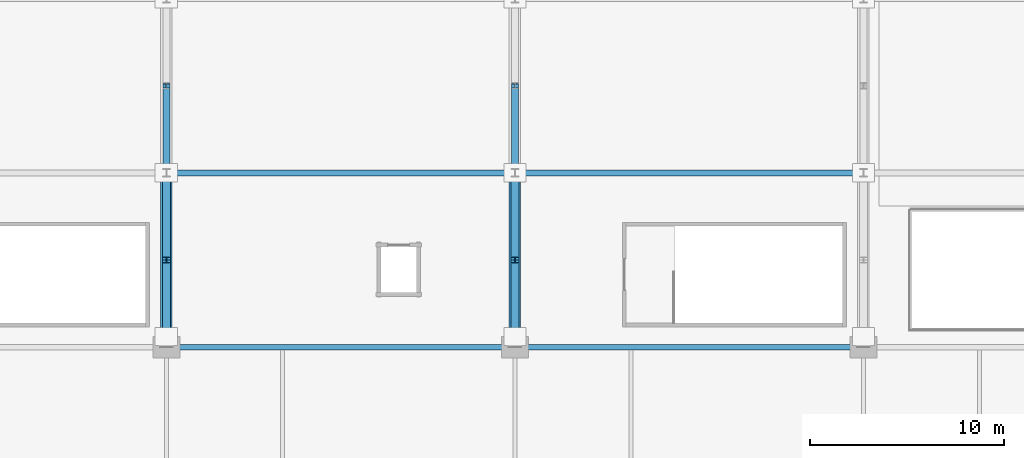
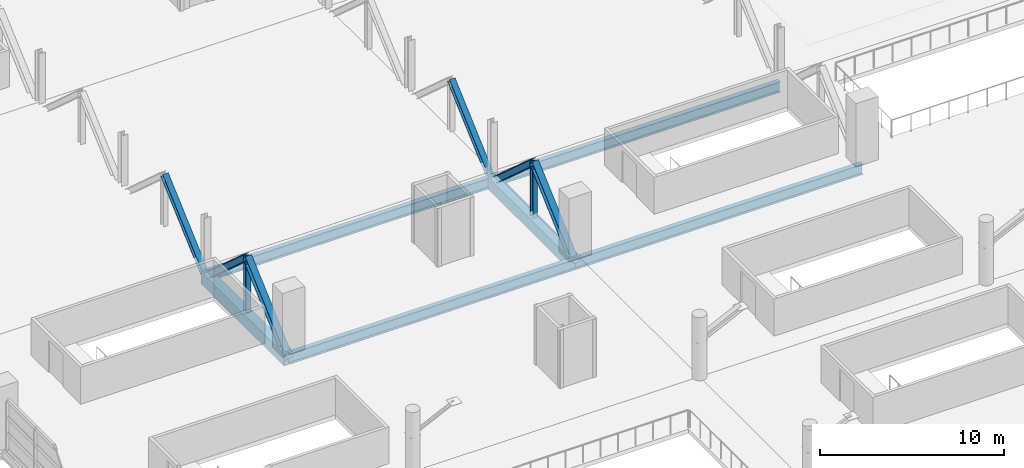
# One storey, part 28 of 136: 8 members, 6 beams.
"""IFC4 building model written with IfcOpenShell, lengths in metres."""

from ifc_helpers import new_model, si_unit, direction, frame, origin, origin_2d, place, context, subcontext, project, spatial, hollow_rectangle, i_section, extrude, material, material_profile, profile_set, type_object, element, save


model = new_model("IFC4")

# Units and contexts
model_context = context("Model", 3, precision=1e-05, world=origin(), true_north=direction((0.0, 1.0)))
body_context = subcontext(model_context, "Body", "Model", "MODEL_VIEW")
ifc_project = project(units=[si_unit("LENGTHUNIT", "METRE"), si_unit("AREAUNIT", "SQUARE_METRE"), si_unit("VOLUMEUNIT", "CUBIC_METRE"), si_unit("PLANEANGLEUNIT", "RADIAN"), si_unit("MASSUNIT", "GRAM", prefix="KILO")], contexts=[model_context])

# Site, building, storey
site_placement = place(None, origin())
site = spatial("IfcSite", under=ifc_project, at=site_placement, CompositionType="ELEMENT")
building_placement = place(site_placement, origin())
building = spatial("IfcBuilding", under=site, at=building_placement, Name="Chuanluo Vaults Station", CompositionType="ELEMENT")
storey_placement = place(building_placement, frame((0.0, 0.0, 6.60009765625)))
storey = spatial("IfcBuildingStorey", under=building, at=storey_placement, Name="L01", CompositionType="ELEMENT", Elevation=6.60009765625)

# Beams
ifc_material_1 = material(Name="Steel Q355C", Category="steel")
ifc_material_profile_1 = material_profile(ifc_material_1, i_section(OverallWidth=0.300048828125, OverallDepth=0.699951171875, WebThickness=0.012939453125, FlangeThickness=0.02392578125, FilletRadius=0.02197265625, at=origin_2d()))
ifc_profile_set_1 = profile_set([ifc_material_profile_1], Name="Steel Q355C")
beam_type_1 = type_object("IfcBeamType", Name="BM-GRD-700", PredefinedType="USERDEFINED", material=ifc_profile_set_1)
for number, where, z_axis, x_axis, name in (
    (1, (36.0, 67.5, -0.630126953125), (1.0, 0.0, 0.0), (0.0, 1.0, 0.0), "Floor girder BM:GX:L01:0335"),
    (2, (54.0, 67.5, -0.630126953125), (1.0, 0.0, 0.0), (0.0, 1.0, 0.0), "Floor girder BM:GX:L01:0336"),
    (3, (36.0, 76.5, -0.630126953125), (1.0, 0.0, 0.0), (0.0, 1.0, 0.0), "Over-track concourse floor girder 3-76"),
    (4, (54.0, 76.5, -0.630126953125), (1.0, 0.0, 0.0), (0.0, 1.0, 0.0), "Over-track concourse floor girder 4-76"),
):
    element("IfcBeam", number, at=place(storey_placement, frame(where, z_axis=z_axis, x_axis=x_axis)), inside=storey, type_object=beam_type_1, Name=name, ObjectType="GIRDER", PredefinedType="USERDEFINED", context=body_context, shape_type="SweptSolid", body=[
        extrude(i_section(OverallWidth=0.300048828125, OverallDepth=0.699951171875, WebThickness=0.012939453125, FlangeThickness=0.02392578125, FilletRadius=0.02197265625, at=origin_2d()), origin(), (0.0, 0.0, 1.0), 18.0),
    ])
ifc_material_2 = material(Name="Steel Q390C", Category="steel")
ifc_material_profile_2 = material_profile(ifc_material_2, hollow_rectangle(XDim=0.60009765625, YDim=0.800048828125, WallThickness=0.031982421875, at=origin_2d()))
ifc_profile_set_2 = profile_set([ifc_material_profile_2], Name="Steel Q390C")
beam_type_2 = type_object("IfcBeamType", Name="BM-TT-BOT", PredefinedType="USERDEFINED", material=ifc_profile_set_2)
for number, where, z_axis, x_axis, name in (
    (5, (36.0, 67.5, -0.68017578125), (0.0, 1.0, 0.0), (-1.0, 0.0, 0.0), "Transfer truss TT-3 bottom chord 1"),
    (6, (54.0, 67.5, -0.68017578125), (0.0, 1.0, 0.0), (-1.0, 0.0, 0.0), "Transfer truss TT-4 bottom chord 1"),
):
    element("IfcBeam", number, at=place(storey_placement, frame(where, z_axis=z_axis, x_axis=x_axis)), inside=storey, type_object=beam_type_2, Name=name, ObjectType="GIRDER", PredefinedType="USERDEFINED", context=body_context, shape_type="SweptSolid", body=[
        extrude(hollow_rectangle(XDim=0.60009765625, YDim=0.800048828125, WallThickness=0.031982421875, at=origin_2d()), origin(), (0.0, 0.0, 1.0), 9.0),
    ])

# Members
ifc_material_3 = material(Name="Steel Q390C", Category="steel")
ifc_material_profile_3 = material_profile(ifc_material_3, i_section(OverallWidth=0.35009765625, OverallDepth=0.35009765625, WebThickness=0.011962890625, FlangeThickness=0.01904296875, FilletRadius=0.02001953125, at=origin_2d()))
ifc_profile_set_3 = profile_set([ifc_material_profile_3], Name="Steel Q390C")
member_type_1 = type_object("IfcMemberType", Name="MEM-DIAG-350", PredefinedType="BRACE", material=ifc_profile_set_3)
for number, where, z_axis, x_axis, name in (
    (7, (36.0, 76.5, -0.68017578125), (0.0, 0.744935757439, 0.667136205949), (-1.0, 0.0, 0.0), "Transfer truss TT-3 diagonal 2A"),
    (8, (54.0, 76.5, -0.68017578125), (0.0, 0.744935757439, 0.667136205949), (-1.0, 0.0, 0.0), "Transfer truss TT-4 diagonal 2A"),
):
    element("IfcMember", number, at=place(storey_placement, frame(where, z_axis=z_axis, x_axis=x_axis)), inside=storey, type_object=member_type_1, Name=name, PredefinedType="BRACE", context=body_context, shape_type="SweptSolid", body=[
        extrude(i_section(OverallWidth=0.35009765625, OverallDepth=0.35009765625, WebThickness=0.011962890625, FlangeThickness=0.01904296875, FilletRadius=0.02001953125, at=origin_2d()), origin(), (0.0, 0.0, 1.0), 6.040771484375),
    ])
ifc_material_4 = material(Name="Steel Q390C", Category="steel")
ifc_material_profile_4 = material_profile(ifc_material_4, i_section(OverallWidth=0.39990234375, OverallDepth=0.407958984375, WebThickness=0.02099609375, FlangeThickness=0.02099609375, FilletRadius=0.02197265625, at=origin_2d()))
ifc_profile_set_4 = profile_set([ifc_material_profile_4], Name="Steel Q390C")
member_type_2 = type_object("IfcMemberType", Name="MEM-DIAG-408", PredefinedType="BRACE", material=ifc_profile_set_4)
for number, where, z_axis, x_axis, name in (
    (9, (36.0, 67.5, -0.68017578125), (0.0, 0.744935757439, 0.667136205949), (-1.0, 0.0, 0.0), "Transfer truss TT-3 diagonal 1A"),
    (10, (36.0, 72.0, 3.349853515625), (0.0, 0.744935757439, -0.667136205949), (-1.0, 0.0, 0.0), "Transfer truss TT-3 diagonal 1B"),
    (11, (54.0, 67.5, -0.68017578125), (0.0, 0.744935757439, 0.667136205949), (-1.0, 0.0, 0.0), "Transfer truss TT-4 diagonal 1A"),
    (12, (54.0, 72.0, 3.349853515625), (0.0, 0.744935757439, -0.667136205949), (-1.0, 0.0, 0.0), "Transfer truss TT-4 diagonal 1B"),
):
    element("IfcMember", number, at=place(storey_placement, frame(where, z_axis=z_axis, x_axis=x_axis)), inside=storey, type_object=member_type_2, Name=name, PredefinedType="BRACE", context=body_context, shape_type="SweptSolid", body=[
        extrude(i_section(OverallWidth=0.39990234375, OverallDepth=0.407958984375, WebThickness=0.02099609375, FlangeThickness=0.02099609375, FilletRadius=0.02197265625, at=origin_2d()), origin(), (0.0, 0.0, 1.0), 6.040771484375),
    ])
ifc_material_5 = material(Name="Steel Q390C", Category="steel")
ifc_material_profile_5 = material_profile(ifc_material_5, i_section(OverallWidth=0.300048828125, OverallDepth=0.300048828125, WebThickness=0.010009765625, FlangeThickness=0.014892578125, FilletRadius=0.01806640625, at=origin_2d()))
ifc_profile_set_5 = profile_set([ifc_material_profile_5], Name="Steel Q390C")
member_type_3 = type_object("IfcMemberType", Name="MEM-VERT-300", PredefinedType="POST", material=ifc_profile_set_5)
for number, where, z_axis, x_axis, name in (
    (13, (36.0, 72.0, -0.68017578125), (0.0, 0.0, 1.0), (1.0, 0.0, 0.0), "Transfer truss TT-3 mid-panel hanger 1"),
    (14, (54.0, 72.0, -0.68017578125), (0.0, 0.0, 1.0), (1.0, 0.0, 0.0), "Transfer truss TT-4 mid-panel hanger 1"),
):
    element("IfcMember", number, at=place(storey_placement, frame(where, z_axis=z_axis, x_axis=x_axis)), inside=storey, type_object=member_type_3, Name=name, PredefinedType="POST", context=body_context, shape_type="SweptSolid", body=[
        extrude(i_section(OverallWidth=0.300048828125, OverallDepth=0.300048828125, WebThickness=0.010009765625, FlangeThickness=0.014892578125, FilletRadius=0.01806640625, at=origin_2d()), origin(), (0.0, 0.0, 1.0), 4.030029296875),
    ])

save(model, "model.ifc")
